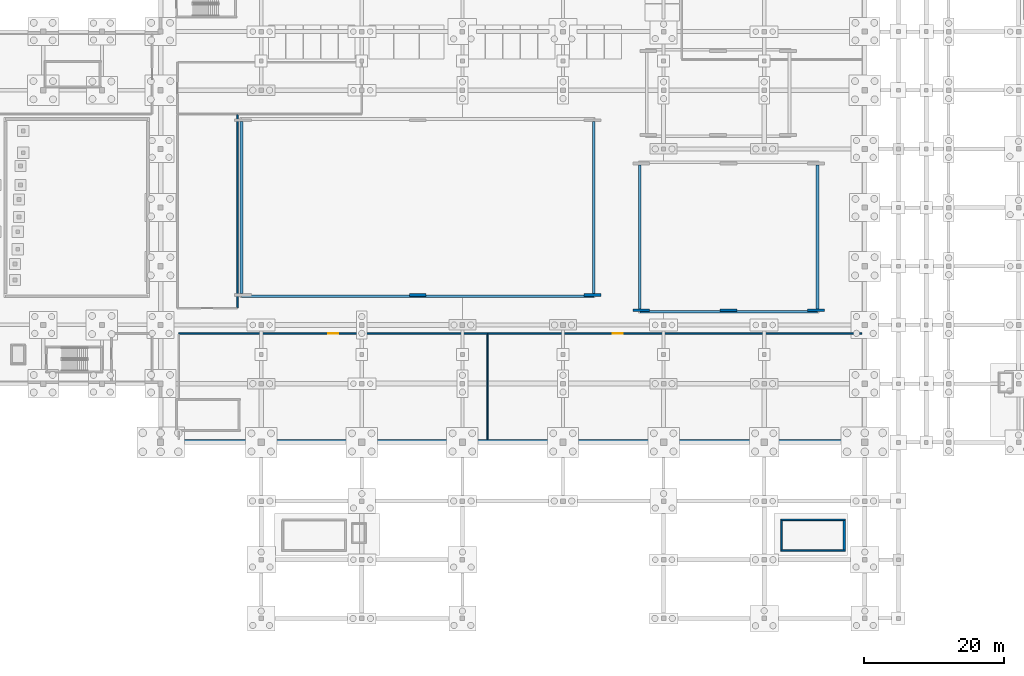
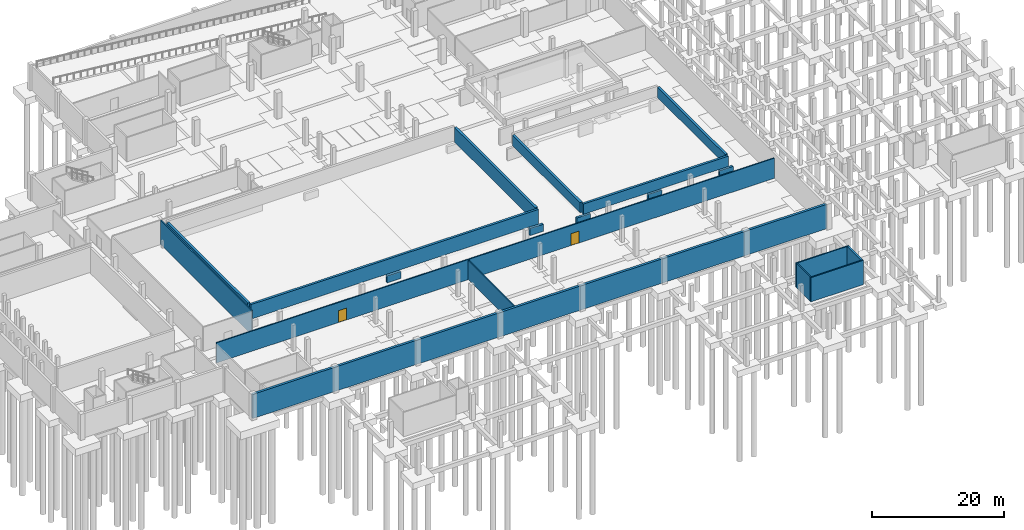
# One storey, part 14 of 26: 20 walls, 2 doors, 2 openings.
"""IFC4 building model written with IfcOpenShell, lengths in metres."""

from ifc_helpers import new_model, si_unit, direction, frame, frame_2d, origin, place, context, subcontext, project, spatial, rectangle, extrude, material, layer, layer_set, type_object, element, fill, save


model = new_model("IFC4")

# Units and contexts
model_context = context("Model", 3, precision=1e-05, world=origin(), true_north=direction((0.0, 1.0)))
body_context = subcontext(model_context, "Body", "Model", "MODEL_VIEW")
ifc_project = project(units=[si_unit("LENGTHUNIT", "METRE"), si_unit("AREAUNIT", "SQUARE_METRE"), si_unit("VOLUMEUNIT", "CUBIC_METRE"), si_unit("PLANEANGLEUNIT", "RADIAN"), si_unit("MASSUNIT", "GRAM", prefix="KILO"), si_unit("THERMODYNAMICTEMPERATUREUNIT", "KELVIN")], contexts=[model_context])

# Site, building, storey
site_placement = place(None, origin())
site = spatial("IfcSite", under=ifc_project, at=site_placement, CompositionType="ELEMENT")
building_placement = place(site_placement, origin())
building = spatial("IfcBuilding", under=site, at=building_placement, Name="Nduvali Passage Aquatics Centre", CompositionType="ELEMENT")
storey_placement = place(building_placement, frame((0.0, 0.0, -4.800048828125)))
storey = spatial("IfcBuildingStorey", under=building, at=storey_placement, Name="B01", CompositionType="ELEMENT", Elevation=-4.800048828125)

# Wall, opening, door
ifc_material_1 = material(Name="Coral-stone masonry blockwork", Category="masonry")
ifc_layer_1 = layer(ifc_material_1, 0.199951171875, Name="Coral-stone masonry blockwork")
ifc_layer_set_1 = layer_set([ifc_layer_1], Name="Coral-stone masonry blockwork")
wall_type_1 = type_object("IfcWallType", Name="INT-WAL-COMP200", PredefinedType="PARTITIONING", material=ifc_layer_set_1)
wall_1_placement = place(storey_placement, frame((27.800048828125, 40.800048828125, 0.0), z_axis=(0.0, 0.0, 1.0), x_axis=(1.0, 0.0, 0.0)))
wall_1 = element("IfcWall", 1, at=wall_1_placement, inside=storey, type_object=wall_type_1, Name="B01 Competition Pool Sand Filtration Plant Hall Partition 0019", PredefinedType="PARTITIONING", context=body_context, shape_type="SweptSolid", body=[
    extrude(rectangle(XDim=44.199951171875, YDim=0.199951171875, at=frame_2d((22.10009765625, 0.0))), origin(), (0.0, 0.0, 1.0), 3.72998046875),
])
opening_1_placement = place(wall_1_placement, frame((21.39990234375, 0.0, 0.0)))
opening_1 = element("IfcOpeningElement", 2, at=opening_1_placement, cuts=wall_1, Name="Opening FD-P1", PredefinedType="OPENING", context=body_context, shape_type="SweptSolid", body=[
    extrude(rectangle(XDim=1.39990234375, YDim=2.199951171875, at=frame_2d((0.699951171875, 1.10009765625))), frame((0.0, 0.11474609375, 0.0), z_axis=(0.0, -1.0, 0.0), x_axis=(1.0, 0.0, 0.0)), (0.0, 0.0, 1.0), 0.229736328125),
])
ifc_material_2 = material(Name="Galvanised steel door", Category="steel")
door_type = type_object("IfcDoorType", Name="INT-DR-PLNT140", OperationType="DOUBLE_DOOR_SINGLE_SWING", PredefinedType="DOOR", material=ifc_material_2)
door_1_placement = place(opening_1_placement, frame((1.39990234375, 0.0, 0.0), z_axis=(0.0, 0.0, 1.0), x_axis=(-1.0, 0.0, 0.0)))
door_1 = element("IfcDoor", 3, at=door_1_placement, inside=storey, type_object=door_type, Name="B01 Competition Pool Sand Filtration Plant Hall Door 0007", OperationType="DOUBLE_DOOR_SINGLE_SWING", OverallHeight=2.199951171875, OverallWidth=1.39990234375, PredefinedType="DOOR", context=body_context, shape_type="SweptSolid", body=[
    extrude(rectangle(XDim=1.39990234375, YDim=2.199951171875, at=frame_2d((0.699951171875, 1.10009765625))), frame((0.0, 0.02490234375, 0.0), z_axis=(0.0, -1.0, 0.0), x_axis=(1.0, 0.0, 0.0)), (0.0, 0.0, 1.0), 0.050048828125),
])
fill(opening_1, door_1)

# Wall
wall_2_placement = place(storey_placement, frame((72.0, 25.610107421875, 0.0), z_axis=(0.0, 0.0, 1.0), x_axis=(0.0, 1.0, 0.0)))
element("IfcWall", 4, at=wall_2_placement, inside=storey, type_object=wall_type_1, Name="B01 Competition Pool Sand Filtration Plant Hall Partition 0022", PredefinedType="PARTITIONING", context=body_context, shape_type="SweptSolid", body=[
    extrude(rectangle(XDim=15.08984375, YDim=0.199951171875, at=frame_2d((7.544921875, 0.0))), origin(), (0.0, 0.0, 1.0), 3.530029296875),
])

# Wall, opening, door
wall_3_placement = place(storey_placement, frame((72.10009765625, 40.800048828125, 0.0), z_axis=(0.0, 0.0, 1.0), x_axis=(1.0, 0.0, 0.0)))
wall_3 = element("IfcWall", 5, at=wall_3_placement, inside=storey, type_object=wall_type_1, Name="B01 Medium-Pressure UV and Ozone Disinfection Hall Partition 0023", PredefinedType="PARTITIONING", context=body_context, shape_type="SweptSolid", body=[
    extrude(rectangle(XDim=53.489990234375, YDim=0.199951171875, at=frame_2d((26.7451171875, 0.0))), origin(), (0.0, 0.0, 1.0), 3.72998046875),
])
opening_2_placement = place(wall_3_placement, frame((17.824951171875, 0.0, 0.0)))
opening_2 = element("IfcOpeningElement", 6, at=opening_2_placement, cuts=wall_3, Name="Opening FD-P1", PredefinedType="OPENING", context=body_context, shape_type="SweptSolid", body=[
    extrude(rectangle(XDim=1.39990234375, YDim=2.199951171875, at=frame_2d((0.699951171875, 1.10009765625))), frame((0.0, 0.11474609375, 0.0), z_axis=(0.0, -1.0, 0.0), x_axis=(1.0, 0.0, 0.0)), (0.0, 0.0, 1.0), 0.229736328125),
])
door_2_placement = place(opening_2_placement, origin())
door_2 = element("IfcDoor", 7, at=door_2_placement, inside=storey, type_object=door_type, Name="B01 Medium-Pressure UV and Ozone Disinfection Hall Door 0008", OperationType="DOUBLE_DOOR_SINGLE_SWING", OverallHeight=2.199951171875, OverallWidth=1.39990234375, PredefinedType="DOOR", context=body_context, shape_type="SweptSolid", body=[
    extrude(rectangle(XDim=1.39990234375, YDim=2.199951171875, at=frame_2d((0.699951171875, 1.10009765625))), frame((0.0, 0.02490234375, 0.0), z_axis=(0.0, -1.0, 0.0), x_axis=(1.0, 0.0, 0.0)), (0.0, 0.0, 1.0), 0.050048828125),
])
fill(opening_2, door_2)

# Walls
wall_4_placement = place(storey_placement, frame((36.199951171875, 44.5, 0.0), z_axis=(0.0, 0.0, 1.0), x_axis=(0.0, 1.0, 0.0)))
element("IfcWall", 8, at=wall_4_placement, inside=storey, type_object=wall_type_1, Name="B01 Aquatic Timing and Maintenance Equipment Store Partition 0033", PredefinedType="PARTITIONING", context=body_context, shape_type="SweptSolid", body=[
    extrude(rectangle(XDim=27.60009765625, YDim=0.199951171875, at=frame_2d((13.800048828125, 0.0))), origin(), (0.0, 0.0, 1.0), 4.5),
])
ifc_material_3 = material(Name="Concrete C40/50", Category="concrete")
ifc_layer_2 = layer(ifc_material_3, 0.219970703125, Name="Concrete C40/50")
ifc_layer_set_2 = layer_set([ifc_layer_2], Name="Concrete C40/50")
wall_type_2 = type_object("IfcWallType", Name="INT-WAL-CORE220", PredefinedType="SOLIDWALL", material=ifc_layer_set_2)
for number, where, z_axis, x_axis, name in (
    (9, (113.97998046875, 9.68994140625, 0.0), (0.0, 0.0, 1.0), (1.0, 0.0, 0.0), "B01 Stair ST6 Core Wall S"),
    (10, (123.199951171875, 14.10009765625, 0.0), (0.0, 0.0, 1.0), (-1.0, 0.0, 0.0), "B01 Stair ST6 Core Wall N"),
):
    element("IfcWall", number, at=place(storey_placement, frame(where, z_axis=z_axis, x_axis=x_axis)), inside=storey, type_object=wall_type_2, Name=name, PredefinedType="SOLIDWALL", context=body_context, shape_type="SweptSolid", body=[
        extrude(rectangle(XDim=9.219970703125, YDim=0.219970703125, at=frame_2d((4.60986328125, 0.0))), origin(), (0.0, 0.0, 1.0), 4.5),
    ])
wall_5_placement = place(storey_placement, frame((114.090087890625, 13.989990234375, 0.0), z_axis=(0.0, 0.0, 1.0), x_axis=(0.0, -1.0, 0.0)))
element("IfcWall", 11, at=wall_5_placement, inside=storey, type_object=wall_type_2, Name="B01 Stair ST6 Core Wall W", PredefinedType="SOLIDWALL", context=body_context, shape_type="SweptSolid", body=[
    extrude(rectangle(XDim=4.18994140625, YDim=0.219970703125, at=frame_2d((2.094970703125, 0.0))), origin(), (0.0, 0.0, 1.0), 4.5),
])
ifc_material_4 = material(Name="Waterproof concrete C40/50", Category="concrete")
ifc_layer_3 = layer(ifc_material_4, 0.419921875, Name="Waterproof concrete C40/50")
ifc_layer_set_3 = layer_set([ifc_layer_3], Name="Waterproof concrete C40/50")
wall_type_3 = type_object("IfcWallType", Name="STR-WAL-RET400", PredefinedType="USERDEFINED", material=ifc_layer_set_3)
wall_6_placement = place(storey_placement, frame((25.199951171875, 25.39990234375, 0.0), z_axis=(0.0, 0.0, 1.0), x_axis=(1.0, 0.0, 0.0)))
element("IfcWall", 12, at=wall_6_placement, inside=storey, type_object=wall_type_3, Name="B01 Waterproof Basement Retaining Wall RET-S3", ObjectType="RETAINING WALL", PredefinedType="USERDEFINED", context=body_context, shape_type="SweptSolid", body=[
    extrude(rectangle(XDim=100.60009765625, YDim=0.419921875, at=frame_2d((50.300048828125, 0.0))), origin(), (0.0, 0.0, 1.0), 4.5),
])
ifc_layer_4 = layer(ifc_material_3, 0.300048828125, Name="Concrete C40/50")
ifc_layer_set_4 = layer_set([ifc_layer_4], Name="Concrete C40/50")
wall_type_4 = type_object("IfcWallType", Name="STR-WAL-SHR300", PredefinedType="SHEAR", material=ifc_layer_set_4)
wall_7_placement = place(storey_placement, frame((123.050048828125, 9.800048828125, 0.0), z_axis=(0.0, 0.0, 1.0), x_axis=(0.0, 1.0, 0.0)))
element("IfcWall", 13, at=wall_7_placement, inside=storey, type_object=wall_type_4, Name="B01 Stair ST6 Core Shear Wall E", PredefinedType="SHEAR", context=body_context, shape_type="SweptSolid", body=[
    extrude(rectangle(XDim=4.18994140625, YDim=0.300048828125, at=frame_2d((2.094970703125, 0.0))), origin(), (0.0, 0.0, 1.0), 4.5),
])
ifc_layer_5 = layer(ifc_material_4, 0.39990234375, Name="Waterproof concrete C40/50")
ifc_layer_set_5 = layer_set([ifc_layer_5], Name="Waterproof concrete C40/50")
wall_type_5 = type_object("IfcWallType", Name="STR-WAL-TANK400", PredefinedType="STANDARD", material=ifc_layer_set_5)
wall_8_placement = place(storey_placement, frame((36.7900390625, 46.10009765625, 1.800048828125), z_axis=(0.0, 0.0, 1.0), x_axis=(1.0, 0.0, 0.0)))
element("IfcWall", 14, at=wall_8_placement, inside=storey, type_object=wall_type_5, Name="Competition Pool Waterproof Tank Wall S", PredefinedType="STANDARD", context=body_context, shape_type="SweptSolid", body=[
    extrude(rectangle(XDim=50.419921875, YDim=0.39990234375, at=frame_2d((25.2099609375, 0.0))), origin(), (0.0, 0.0, 1.0), 2.699951171875),
])
for number, where, z_axis, x_axis, name in (
    (15, (87.2099609375, 46.5, 1.800048828125), (0.0, 0.0, 1.0), (0.0, 1.0, 0.0), "Competition Pool Waterproof Tank Wall E"),
    (16, (36.7900390625, 71.10009765625, 1.800048828125), (0.0, 0.0, 1.0), (0.0, -1.0, 0.0), "Competition Pool Waterproof Tank Wall W"),
):
    element("IfcWall", number, at=place(storey_placement, frame(where, z_axis=z_axis, x_axis=x_axis)), inside=storey, type_object=wall_type_5, Name=name, PredefinedType="STANDARD", context=body_context, shape_type="SweptSolid", body=[
        extrude(rectangle(XDim=24.60009765625, YDim=0.39990234375, at=frame_2d((12.300048828125, 0.0))), origin(), (0.0, 0.0, 1.0), 2.699951171875),
    ])
for number, where, z_axis, x_axis, name in (
    (17, (60.800048828125, 46.300048828125, 0.0), (0.0, 0.0, 1.0), (1.0, 0.0, 0.0), "Competition Pool Sub-Basin Support Wall"),
    (18, (85.81005859375, 46.300048828125, 0.0), (0.0, 0.0, 1.0), (1.0, 0.0, 0.0), "Competition Pool Sub-Basin Support Wall"),
):
    element("IfcWall", number, at=place(storey_placement, frame(where, z_axis=z_axis, x_axis=x_axis)), inside=storey, type_object=wall_type_5, Name=name, PredefinedType="STANDARD", context=body_context, shape_type="SweptSolid", body=[
        extrude(rectangle(XDim=2.39990234375, YDim=0.39990234375, at=frame_2d((1.199951171875, 0.0))), origin(), (0.0, 0.0, 1.0), 1.300048828125),
    ])
wall_9_placement = place(storey_placement, frame((93.7900390625, 43.89990234375, 2.60009765625), z_axis=(0.0, 0.0, 1.0), x_axis=(1.0, 0.0, 0.0)))
element("IfcWall", 19, at=wall_9_placement, inside=storey, type_object=wall_type_5, Name="Training Pool Waterproof Tank Wall S", PredefinedType="STANDARD", context=body_context, shape_type="SweptSolid", body=[
    extrude(rectangle(XDim=25.419921875, YDim=0.39990234375, at=frame_2d((12.7099609375, 0.0))), origin(), (0.0, 0.0, 1.0), 1.89990234375),
])
for number, where, z_axis, x_axis, name in (
    (20, (119.2099609375, 44.300048828125, 2.60009765625), (0.0, 0.0, 1.0), (0.0, 1.0, 0.0), "Training Pool Waterproof Tank Wall E"),
    (21, (93.7900390625, 64.89990234375, 2.60009765625), (0.0, 0.0, 1.0), (0.0, -1.0, 0.0), "Training Pool Waterproof Tank Wall W"),
):
    element("IfcWall", number, at=place(storey_placement, frame(where, z_axis=z_axis, x_axis=x_axis)), inside=storey, type_object=wall_type_5, Name=name, PredefinedType="STANDARD", context=body_context, shape_type="SweptSolid", body=[
        extrude(rectangle(XDim=20.599853515625, YDim=0.39990234375, at=frame_2d((10.2998046875, 0.0))), origin(), (0.0, 0.0, 1.0), 1.89990234375),
    ])
for number, where, z_axis, x_axis, name in (
    (22, (92.7900390625, 44.10009765625, 0.0), (0.0, 0.0, 1.0), (1.0, 0.0, 0.0), "Training Pool Sub-Basin Support Wall"),
    (23, (105.300048828125, 44.10009765625, 0.0), (0.0, 0.0, 1.0), (1.0, 0.0, 0.0), "Training Pool Sub-Basin Support Wall"),
    (24, (117.81005859375, 44.10009765625, 0.0), (0.0, 0.0, 1.0), (1.0, 0.0, 0.0), "Training Pool Sub-Basin Support Wall"),
):
    element("IfcWall", number, at=place(storey_placement, frame(where, z_axis=z_axis, x_axis=x_axis)), inside=storey, type_object=wall_type_5, Name=name, PredefinedType="STANDARD", context=body_context, shape_type="SweptSolid", body=[
        extrude(rectangle(XDim=2.39990234375, YDim=0.39990234375, at=frame_2d((1.199951171875, 0.0))), origin(), (0.0, 0.0, 1.0), 2.150146484375),
    ])

save(model, "model.ifc")
